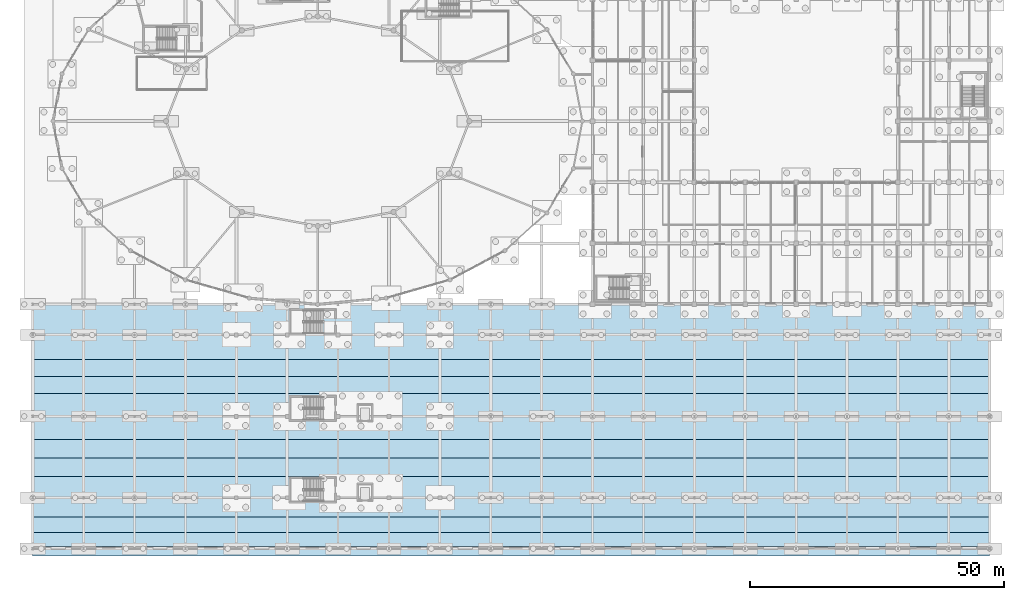
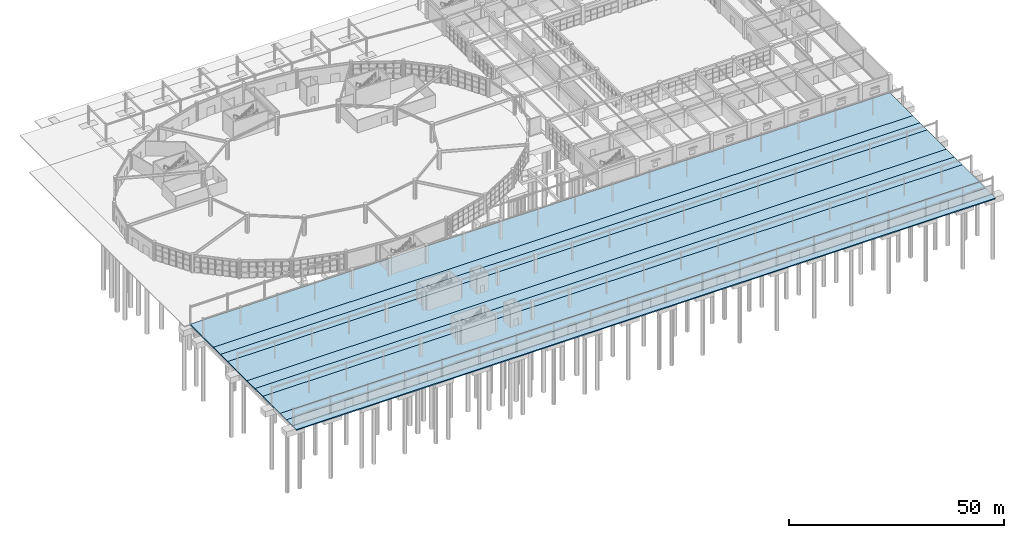
# One storey, part 65 of 99: 10 slabs.
"""IFC4 building model written with IfcOpenShell, lengths in metres."""

from ifc_helpers import new_model, si_unit, direction, frame, origin, place, context, subcontext, project, spatial, polyline, outline, extrude, material, layer, layer_set, type_object, element, save


model = new_model("IFC4")

# Units and contexts
model_context = context("Model", 3, precision=1e-05, world=origin(), true_north=direction((0.0, 1.0)))
body_context = subcontext(model_context, "Body", "Model", "MODEL_VIEW")
ifc_project = project(units=[si_unit("LENGTHUNIT", "METRE"), si_unit("AREAUNIT", "SQUARE_METRE"), si_unit("VOLUMEUNIT", "CUBIC_METRE"), si_unit("PLANEANGLEUNIT", "RADIAN"), si_unit("MASSUNIT", "GRAM", prefix="KILO")], contexts=[model_context])

# Site, building, storey
site_placement = place(None, origin())
site = spatial("IfcSite", under=ifc_project, at=site_placement, CompositionType="ELEMENT")
building_placement = place(site_placement, origin())
building = spatial("IfcBuilding", under=site, at=building_placement, Name="Kivolera Central Railway Station", CompositionType="ELEMENT")
storey_placement = place(building_placement, origin())
storey = spatial("IfcBuildingStorey", under=building, at=storey_placement, Name="L00", CompositionType="ELEMENT", Elevation=0.0)

# Slabs
ifc_material = material(Name="Concrete C35/45", Category="concrete")
ifc_layer_1 = layer(ifc_material, 0.2900390625, Name="Concrete C35/45")
ifc_layer_set_1 = layer_set([ifc_layer_1], Name="Concrete C35/45")
slab_type_1 = type_object("IfcSlabType", Name="SLB-EXT-290", PredefinedType="BASESLAB", material=ifc_layer_set_1)
slab_1_placement = place(storey_placement, frame((0.0, 0.0, -0.2900390625)))
element("IfcSlab", 1, at=slab_1_placement, inside=storey, type_object=slab_type_1, Name="L00 Standard Gauge Track 1 Track Formation Slab", PredefinedType="BASESLAB", context=body_context, shape_type="SweptSolid", body=[
    extrude(outline(polyline([(8.0, 6.39990234375), (196.0, 6.39990234375), (196.0, 9.199951171875), (8.0, 9.199951171875), (8.0, 6.39990234375)])), origin(), (0.0, 0.0, 1.0), 0.2900390625),
])
slab_2_placement = place(storey_placement, frame((0.0, 0.0, -0.2900390625)))
element("IfcSlab", 2, at=slab_2_placement, inside=storey, type_object=slab_type_1, Name="L00 Standard Gauge Track 2 Track Formation Slab", PredefinedType="BASESLAB", context=body_context, shape_type="SweptSolid", body=[
    extrude(outline(polyline([(8.0, 9.199951171875), (196.0, 9.199951171875), (196.0, 12.199951171875), (8.0, 12.199951171875), (8.0, 9.199951171875)])), origin(), (0.0, 0.0, 1.0), 0.2900390625),
])
slab_3_placement = place(storey_placement, frame((0.0, 0.0, -0.2900390625)))
element("IfcSlab", 3, at=slab_3_placement, inside=storey, type_object=slab_type_1, Name="L00 Standard Gauge Track 3 Track Formation Slab", PredefinedType="BASESLAB", context=body_context, shape_type="SweptSolid", body=[
    extrude(outline(polyline([(8.0, 20.199951171875), (196.0, 20.199951171875), (196.0, 23.85009765625), (8.0, 23.85009765625), (8.0, 20.199951171875)])), origin(), (0.0, 0.0, 1.0), 0.2900390625),
])
slab_4_placement = place(storey_placement, frame((0.0, 0.0, -0.2900390625)))
element("IfcSlab", 4, at=slab_4_placement, inside=storey, type_object=slab_type_1, Name="L00 Standard Gauge Track 4 Track Formation Slab", PredefinedType="BASESLAB", context=body_context, shape_type="SweptSolid", body=[
    extrude(outline(polyline([(8.0, 23.85009765625), (196.0, 23.85009765625), (196.0, 27.5), (8.0, 27.5), (8.0, 23.85009765625)])), origin(), (0.0, 0.0, 1.0), 0.2900390625),
])
slab_5_placement = place(storey_placement, frame((0.0, 0.0, -0.2900390625)))
element("IfcSlab", 5, at=slab_5_placement, inside=storey, type_object=slab_type_1, Name="L00 Standard Gauge Track 5 Track Formation Slab", PredefinedType="BASESLAB", context=body_context, shape_type="SweptSolid", body=[
    extrude(outline(polyline([(8.0, 36.5), (196.0, 36.5), (196.0, 39.85009765625), (8.0, 39.85009765625), (8.0, 36.5)])), origin(), (0.0, 0.0, 1.0), 0.2900390625),
])
slab_6_placement = place(storey_placement, frame((0.0, 0.0, -0.2900390625)))
element("IfcSlab", 6, at=slab_6_placement, inside=storey, type_object=slab_type_1, Name="L00 Standard Gauge Track 6 Track Formation Slab", PredefinedType="BASESLAB", context=body_context, shape_type="SweptSolid", body=[
    extrude(outline(polyline([(8.0, 39.85009765625), (196.0, 39.85009765625), (196.0, 43.199951171875), (8.0, 43.199951171875), (8.0, 39.85009765625)])), origin(), (0.0, 0.0, 1.0), 0.2900390625),
])
ifc_layer_2 = layer(ifc_material, 0.300048828125, Name="Concrete C35/45")
ifc_layer_set_2 = layer_set([ifc_layer_2], Name="Concrete C35/45")
slab_type_2 = type_object("IfcSlabType", Name="SLB-EXT-300", PredefinedType="BASESLAB", material=ifc_layer_set_2)
slab_7_placement = place(storey_placement, frame((0.0, 0.0, -0.300048828125)))
element("IfcSlab", 7, at=slab_7_placement, inside=storey, type_object=slab_type_2, Name="Southern Trackside Emergency Escape Apron Slab", PredefinedType="BASESLAB", context=body_context, shape_type="SweptSolid", body=[
    extrude(outline(polyline([(8.0, 4.60009765625), (196.0, 4.60009765625), (196.0, 6.39990234375), (8.0, 6.39990234375), (8.0, 4.60009765625)])), origin(), (0.0, 0.0, 1.0), 0.300048828125),
])
ifc_layer_3 = layer(ifc_material, 0.360107421875, Name="Concrete C35/45")
ifc_layer_set_3 = layer_set([ifc_layer_3], Name="Concrete C35/45")
slab_type_3 = type_object("IfcSlabType", Name="SLB-PLAT-360", PredefinedType="BASESLAB", material=ifc_layer_set_3)
slab_8_placement = place(storey_placement, frame((0.0, 0.0, -0.360107421875)))
element("IfcSlab", 8, at=slab_8_placement, inside=storey, type_object=slab_type_3, Name="L00 Through Platform 1 Passenger Hall Base Slab", PredefinedType="BASESLAB", context=body_context, shape_type="SweptSolid", body=[
    extrude(outline(polyline([(8.0, 12.199951171875), (196.0, 12.199951171875), (196.0, 20.199951171875), (8.0, 20.199951171875), (8.0, 12.199951171875)])), origin(), (0.0, 0.0, 1.0), 0.360107421875),
])
slab_9_placement = place(storey_placement, frame((0.0, 0.0, -0.360107421875)))
element("IfcSlab", 9, at=slab_9_placement, inside=storey, type_object=slab_type_3, Name="L00 Island Platform 2 Passenger Hall Base Slab", PredefinedType="BASESLAB", context=body_context, shape_type="SweptSolid", body=[
    extrude(outline(polyline([(8.0, 27.5), (196.0, 27.5), (196.0, 36.5), (8.0, 36.5), (8.0, 27.5)])), origin(), (0.0, 0.0, 1.0), 0.360107421875),
])
slab_10_placement = place(storey_placement, frame((0.0, 0.0, -0.360107421875)))
element("IfcSlab", 10, at=slab_10_placement, inside=storey, type_object=slab_type_3, Name="L00 Through Platform 3 Passenger Hall Base Slab", PredefinedType="BASESLAB", context=body_context, shape_type="SweptSolid", body=[
    extrude(outline(polyline([(8.0, 43.199951171875), (196.0, 43.199951171875), (196.0, 54.0), (8.0, 54.0), (8.0, 43.199951171875)])), origin(), (0.0, 0.0, 1.0), 0.360107421875),
])

save(model, "model.ifc")
